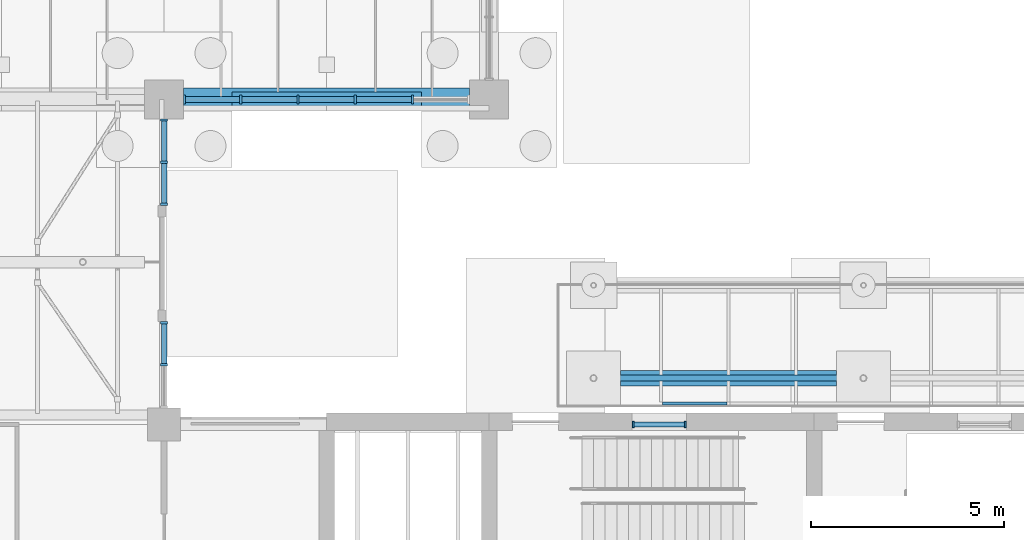
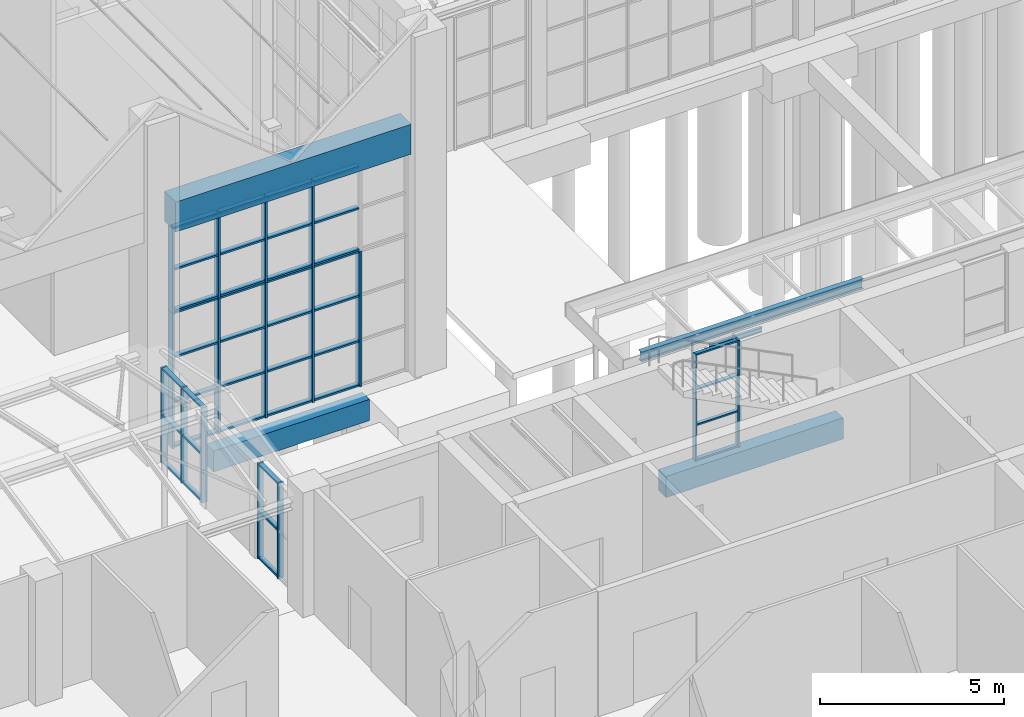
# One storey, part 39 of 138: 57 members, 5 beams, 5 elements without a shape of their own.
"""IFC4 building model written with IfcOpenShell, lengths in metres."""

from ifc_helpers import new_model, si_unit, direction, frame, origin, origin_2d, place, context, subcontext, project, spatial, rectangle, i_section, extrude, material, material_profile, profile_set, type_object, element, aggregate, save


model = new_model("IFC4")

# Units and contexts
model_context = context("Model", 3, precision=1e-05, world=origin(), true_north=direction((0.0, 1.0)))
body_context = subcontext(model_context, "Body", "Model", "MODEL_VIEW")
ifc_project = project(units=[si_unit("LENGTHUNIT", "METRE"), si_unit("AREAUNIT", "SQUARE_METRE"), si_unit("VOLUMEUNIT", "CUBIC_METRE"), si_unit("PLANEANGLEUNIT", "RADIAN"), si_unit("MASSUNIT", "GRAM", prefix="KILO")], contexts=[model_context])

# Site, building, storey
site_placement = place(None, origin())
site = spatial("IfcSite", under=ifc_project, at=site_placement, CompositionType="ELEMENT")
building_placement = place(site_placement, origin())
building = spatial("IfcBuilding", under=site, at=building_placement, Name="Yavir Park General Hospital", CompositionType="ELEMENT")
storey_placement = place(building_placement, origin())
storey = spatial("IfcBuildingStorey", under=building, at=storey_placement, Name="L00", CompositionType="ELEMENT", Elevation=0.0)

# Curtain wall, members
ifc_material_1 = material(Name="Aluminium curtain wall frame with insulated glazing", Category="aluminium")
curtain_wall_type_1 = type_object("IfcCurtainWallType", Name="Glazed foyer walls, 3164 high, 1400 module", PredefinedType="NOTDEFINED", material=ifc_material_1)
curtain_wall_1_placement = place(storey_placement, origin())
curtain_wall_1 = element("IfcCurtainWall", 1, at=curtain_wall_1_placement, inside=storey, type_object=curtain_wall_type_1, Name="CW36 L00-056", PredefinedType="NOTDEFINED")
ifc_material_2 = material(Name="Aluminium", Category="aluminium")
ifc_material_profile_1 = material_profile(ifc_material_2, rectangle(XDim=0.179931640625, YDim=0.06005859375, at=origin_2d()), Name="AL 60x180")
ifc_profile_set_1 = profile_set([ifc_material_profile_1], Name="Aluminium")
member_type_1 = type_object("IfcMemberType", Name="Glazed foyer walls, 3164 high mullion 60 x 180", PredefinedType="MULLION", material=ifc_profile_set_1)
member_1_placement = place(storey_placement, frame((100.800048828125, 35.143798828125, 0.0), z_axis=(0.0, 0.0, 1.0), x_axis=(-1.0, 0.0, 0.0)))
member_1 = element("IfcMember", 2, at=member_1_placement, type_object=member_type_1, Name="CW36 mullion 2", PredefinedType="MULLION", context=body_context, shape_type="SweptSolid", body=[
    extrude(rectangle(XDim=0.179931640625, YDim=0.06005859375, at=origin_2d()), origin(), (0.0, 0.0, 1.0), 3.1640625),
])
member_2_placement = place(storey_placement, frame((100.800048828125, 36.232421875, 0.0), z_axis=(0.0, 0.0, 1.0), x_axis=(-1.0, 0.0, 0.0)))
member_2 = element("IfcMember", 3, at=member_2_placement, type_object=member_type_1, Name="CW36 mullion 3", PredefinedType="MULLION", context=body_context, shape_type="SweptSolid", body=[
    extrude(rectangle(XDim=0.179931640625, YDim=0.06005859375, at=origin_2d()), origin(), (0.0, 0.0, 1.0), 3.1640625),
])

curtain_wall_2_placement = place(storey_placement, origin())
curtain_wall_2 = element("IfcCurtainWall", 4, at=curtain_wall_2_placement, inside=storey, type_object=curtain_wall_type_1, Name="CW36 L00-057", PredefinedType="NOTDEFINED")
member_3_placement = place(storey_placement, frame((100.800048828125, 39.29248046875, 0.0), z_axis=(0.0, 0.0, 1.0), x_axis=(-1.0, 0.0, 0.0)))
member_3 = element("IfcMember", 5, at=member_3_placement, type_object=member_type_1, Name="CW36 mullion 1", PredefinedType="MULLION", context=body_context, shape_type="SweptSolid", body=[
    extrude(rectangle(XDim=0.179931640625, YDim=0.06005859375, at=origin_2d()), origin(), (0.0, 0.0, 1.0), 3.1640625),
])
member_4_placement = place(storey_placement, frame((100.800048828125, 40.38134765625, 0.0), z_axis=(0.0, 0.0, 1.0), x_axis=(-1.0, 0.0, 0.0)))
member_4 = element("IfcMember", 6, at=member_4_placement, type_object=member_type_1, Name="CW36 mullion 2", PredefinedType="MULLION", context=body_context, shape_type="SweptSolid", body=[
    extrude(rectangle(XDim=0.179931640625, YDim=0.06005859375, at=origin_2d()), origin(), (0.0, 0.0, 1.0), 3.1640625),
])
member_5_placement = place(storey_placement, frame((100.800048828125, 41.469970703125, 0.0), z_axis=(0.0, 0.0, 1.0), x_axis=(-1.0, 0.0, 0.0)))
member_5 = element("IfcMember", 7, at=member_5_placement, type_object=member_type_1, Name="CW36 mullion 3", PredefinedType="MULLION", context=body_context, shape_type="SweptSolid", body=[
    extrude(rectangle(XDim=0.179931640625, YDim=0.06005859375, at=origin_2d()), origin(), (0.0, 0.0, 1.0), 3.1640625),
])

# Member
ifc_material_3 = material(Name="Aluminium", Category="aluminium")
ifc_material_profile_2 = material_profile(ifc_material_3, rectangle(XDim=0.139892578125, YDim=0.06005859375, at=origin_2d()), Name="AL 140x60")
ifc_profile_set_2 = profile_set([ifc_material_profile_2], Name="Aluminium")
member_type_2 = type_object("IfcMemberType", Name="Glazed foyer walls, 3164 high transom 60 x 140", PredefinedType="MULLION", material=ifc_profile_set_2)
member_6_placement = place(storey_placement, frame((100.800048828125, 35.173828125, 0.030029296875), z_axis=(0.0, 1.0, 0.0), x_axis=(-1.0, 0.0, 0.0)))
member_6 = element("IfcMember", 8, at=member_6_placement, type_object=member_type_2, Name="CW36 transom 2.1", PredefinedType="MULLION", context=body_context, shape_type="SweptSolid", body=[
    extrude(rectangle(XDim=0.139892578125, YDim=0.06005859375, at=origin_2d()), origin(), (0.0, 0.0, 1.0), 1.028564453125),
])

member_7_placement = place(storey_placement, frame((100.800048828125, 35.173828125, 1.58203125), z_axis=(0.0, 1.0, 0.0), x_axis=(-1.0, 0.0, 0.0)))
member_7 = element("IfcMember", 9, at=member_7_placement, type_object=member_type_2, Name="CW36 transom 2.2", PredefinedType="MULLION", context=body_context, shape_type="SweptSolid", body=[
    extrude(rectangle(XDim=0.139892578125, YDim=0.06005859375, at=origin_2d()), origin(), (0.0, 0.0, 1.0), 1.028564453125),
])

member_8_placement = place(storey_placement, frame((100.800048828125, 35.173828125, 3.134033203125), z_axis=(0.0, 1.0, 0.0), x_axis=(-1.0, 0.0, 0.0)))
member_8 = element("IfcMember", 10, at=member_8_placement, type_object=member_type_2, Name="CW36 transom 2.3", PredefinedType="MULLION", context=body_context, shape_type="SweptSolid", body=[
    extrude(rectangle(XDim=0.139892578125, YDim=0.06005859375, at=origin_2d()), origin(), (0.0, 0.0, 1.0), 1.028564453125),
])

aggregate(curtain_wall_1, [member_1, member_2, member_6, member_7, member_8])

member_9_placement = place(storey_placement, frame((100.800048828125, 39.322509765625, 0.030029296875), z_axis=(0.0, 1.0, 0.0), x_axis=(-1.0, 0.0, 0.0)))
member_9 = element("IfcMember", 11, at=member_9_placement, type_object=member_type_2, Name="CW36 transom 1.1", PredefinedType="MULLION", context=body_context, shape_type="SweptSolid", body=[
    extrude(rectangle(XDim=0.139892578125, YDim=0.06005859375, at=origin_2d()), origin(), (0.0, 0.0, 1.0), 1.02880859375),
])

member_10_placement = place(storey_placement, frame((100.800048828125, 39.322509765625, 1.58203125), z_axis=(0.0, 1.0, 0.0), x_axis=(-1.0, 0.0, 0.0)))
member_10 = element("IfcMember", 12, at=member_10_placement, type_object=member_type_2, Name="CW36 transom 1.2", PredefinedType="MULLION", context=body_context, shape_type="SweptSolid", body=[
    extrude(rectangle(XDim=0.139892578125, YDim=0.06005859375, at=origin_2d()), origin(), (0.0, 0.0, 1.0), 1.02880859375),
])

member_11_placement = place(storey_placement, frame((100.800048828125, 39.322509765625, 3.134033203125), z_axis=(0.0, 1.0, 0.0), x_axis=(-1.0, 0.0, 0.0)))
member_11 = element("IfcMember", 13, at=member_11_placement, type_object=member_type_2, Name="CW36 transom 1.3", PredefinedType="MULLION", context=body_context, shape_type="SweptSolid", body=[
    extrude(rectangle(XDim=0.139892578125, YDim=0.06005859375, at=origin_2d()), origin(), (0.0, 0.0, 1.0), 1.02880859375),
])

member_12_placement = place(storey_placement, frame((100.800048828125, 40.4111328125, 0.030029296875), z_axis=(0.0, 1.0, 0.0), x_axis=(-1.0, 0.0, 0.0)))
member_12 = element("IfcMember", 14, at=member_12_placement, type_object=member_type_2, Name="CW36 transom 2.1", PredefinedType="MULLION", context=body_context, shape_type="SweptSolid", body=[
    extrude(rectangle(XDim=0.139892578125, YDim=0.06005859375, at=origin_2d()), origin(), (0.0, 0.0, 1.0), 1.02880859375),
])

member_13_placement = place(storey_placement, frame((100.800048828125, 40.4111328125, 1.58203125), z_axis=(0.0, 1.0, 0.0), x_axis=(-1.0, 0.0, 0.0)))
member_13 = element("IfcMember", 15, at=member_13_placement, type_object=member_type_2, Name="CW36 transom 2.2", PredefinedType="MULLION", context=body_context, shape_type="SweptSolid", body=[
    extrude(rectangle(XDim=0.139892578125, YDim=0.06005859375, at=origin_2d()), origin(), (0.0, 0.0, 1.0), 1.02880859375),
])

member_14_placement = place(storey_placement, frame((100.800048828125, 40.4111328125, 3.134033203125), z_axis=(0.0, 1.0, 0.0), x_axis=(-1.0, 0.0, 0.0)))
member_14 = element("IfcMember", 16, at=member_14_placement, type_object=member_type_2, Name="CW36 transom 2.3", PredefinedType="MULLION", context=body_context, shape_type="SweptSolid", body=[
    extrude(rectangle(XDim=0.139892578125, YDim=0.06005859375, at=origin_2d()), origin(), (0.0, 0.0, 1.0), 1.02880859375),
])

aggregate(curtain_wall_2, [member_3, member_4, member_5, member_9, member_10, member_11, member_12, member_13, member_14])

# Beams
ifc_material_4 = material(Name="Steel S355", Category="steel")
ifc_material_profile_3 = material_profile(ifc_material_4, i_section(OverallWidth=0.08203125, OverallDepth=0.159912109375, WebThickness=0.0048828125, FlangeThickness=0.00732421875, FilletRadius=0.009033203125, at=origin_2d()), Name="IPE160")
ifc_profile_set_3 = profile_set([ifc_material_profile_3], Name="Steel S355")
beam_type_1 = type_object("IfcBeamType", Name="IPE 160 edge trimmer, up to 2 m span", PredefinedType="BEAM", material=ifc_profile_set_3)
beam_1_placement = place(storey_placement, frame((113.684814453125, 34.14111328125, 3.77001953125), z_axis=(1.0, 0.0, 0.0), x_axis=(0.0, 1.0, 0.0)))
element("IfcBeam", 17, at=beam_1_placement, inside=storey, type_object=beam_type_1, Name="B:ARC2:T1", PredefinedType="BEAM", context=body_context, shape_type="SweptSolid", body=[
    extrude(i_section(OverallWidth=0.08203125, OverallDepth=0.159912109375, WebThickness=0.0048828125, FlangeThickness=0.00732421875, FilletRadius=0.009033203125, at=origin_2d()), origin(), (0.0, 0.0, 1.0), 1.66162109375),
])
ifc_material_5 = material(Name="Steel S355", Category="steel")
ifc_material_profile_4 = material_profile(ifc_material_5, i_section(OverallWidth=0.159912109375, OverallDepth=0.330078125, WebThickness=0.007568359375, FlangeThickness=0.011474609375, FilletRadius=0.01806640625, at=origin_2d()), Name="IPE330")
ifc_profile_set_4 = profile_set([ifc_material_profile_4], Name="Steel S355")
beam_type_2 = type_object("IfcBeamType", Name="IPE 330 main beam, inner row, up to 7 m span", PredefinedType="BEAM", material=ifc_profile_set_4)
beam_2_placement = place(storey_placement, frame((111.89990234375, 34.800048828125, 3.68505859375), z_axis=(1.0, 0.0, 0.0), x_axis=(0.0, 1.0, 0.0)))
element("IfcBeam", 18, at=beam_2_placement, inside=storey, type_object=beam_type_2, Name="B:ARC2:M00", PredefinedType="BEAM", context=body_context, shape_type="SweptSolid", body=[
    extrude(i_section(OverallWidth=0.159912109375, OverallDepth=0.330078125, WebThickness=0.007568359375, FlangeThickness=0.011474609375, FilletRadius=0.01806640625, at=origin_2d()), origin(), (0.0, 0.0, 1.0), 6.97509765625),
])

# Curtain wall, members
ifc_material_6 = material(Name="Aluminium curtain wall frame with insulated glazing", Category="aluminium")
curtain_wall_type_2 = type_object("IfcCurtainWallType", Name="Main hall glazing, lower band, 4500 high, 1400 module", PredefinedType="NOTDEFINED", material=ifc_material_6)
curtain_wall_3_placement = place(storey_placement, origin())
curtain_wall_3 = element("IfcCurtainWall", 19, at=curtain_wall_3_placement, inside=storey, type_object=curtain_wall_type_2, Name="CW33 L00-011", PredefinedType="NOTDEFINED")
ifc_material_7 = material(Name="Aluminium", Category="aluminium")
ifc_material_profile_5 = material_profile(ifc_material_7, rectangle(XDim=0.239990234375, YDim=0.06005859375, at=origin_2d()), Name="AL 60x240")
ifc_profile_set_5 = profile_set([ifc_material_profile_5], Name="Aluminium")
member_type_3 = type_object("IfcMemberType", Name="Main hall glazing, lower band, 4500 high mullion 60 x 240", PredefinedType="MULLION", material=ifc_profile_set_5)
member_15_placement = place(storey_placement, frame((101.330078125, 42.0, 0.0), z_axis=(0.0, 0.0, 1.0), x_axis=(0.0, 1.0, 0.0)))
member_15 = element("IfcMember", 20, at=member_15_placement, type_object=member_type_3, Name="CW33 mullion 1", PredefinedType="MULLION", context=body_context, shape_type="SweptSolid", body=[
    extrude(rectangle(XDim=0.239990234375, YDim=0.06005859375, at=origin_2d()), origin(), (0.0, 0.0, 1.0), 4.5),
])
member_16_placement = place(storey_placement, frame((102.780029296875, 42.0, 0.0), z_axis=(0.0, 0.0, 1.0), x_axis=(0.0, 1.0, 0.0)))
member_16 = element("IfcMember", 21, at=member_16_placement, type_object=member_type_3, Name="CW33 mullion 2", PredefinedType="MULLION", context=body_context, shape_type="SweptSolid", body=[
    extrude(rectangle(XDim=0.239990234375, YDim=0.06005859375, at=origin_2d()), origin(), (0.0, 0.0, 1.0), 4.5),
])
member_17_placement = place(storey_placement, frame((104.260009765625, 42.0, 0.0), z_axis=(0.0, 0.0, 1.0), x_axis=(0.0, 1.0, 0.0)))
member_17 = element("IfcMember", 22, at=member_17_placement, type_object=member_type_3, Name="CW33 mullion 3", PredefinedType="MULLION", context=body_context, shape_type="SweptSolid", body=[
    extrude(rectangle(XDim=0.239990234375, YDim=0.06005859375, at=origin_2d()), origin(), (0.0, 0.0, 1.0), 4.5),
])
member_18_placement = place(storey_placement, frame((105.739990234375, 42.0, 0.0), z_axis=(0.0, 0.0, 1.0), x_axis=(0.0, 1.0, 0.0)))
member_18 = element("IfcMember", 23, at=member_18_placement, type_object=member_type_3, Name="CW33 mullion 4", PredefinedType="MULLION", context=body_context, shape_type="SweptSolid", body=[
    extrude(rectangle(XDim=0.239990234375, YDim=0.06005859375, at=origin_2d()), origin(), (0.0, 0.0, 1.0), 4.5),
])
member_19_placement = place(storey_placement, frame((107.219970703125, 42.0, 0.0), z_axis=(0.0, 0.0, 1.0), x_axis=(0.0, 1.0, 0.0)))
member_19 = element("IfcMember", 24, at=member_19_placement, type_object=member_type_3, Name="CW33 mullion 5", PredefinedType="MULLION", context=body_context, shape_type="SweptSolid", body=[
    extrude(rectangle(XDim=0.239990234375, YDim=0.06005859375, at=origin_2d()), origin(), (0.0, 0.0, 1.0), 4.5),
])
ifc_material_8 = material(Name="Aluminium", Category="aluminium")
ifc_material_profile_6 = material_profile(ifc_material_8, rectangle(XDim=0.159912109375, YDim=0.06005859375, at=origin_2d()), Name="AL 160x60")
ifc_profile_set_6 = profile_set([ifc_material_profile_6], Name="Aluminium")
member_type_4 = type_object("IfcMemberType", Name="Main hall glazing, lower band, 4500 high transom 60 x 160", PredefinedType="MULLION", material=ifc_profile_set_6)
member_20_placement = place(storey_placement, frame((101.360107421875, 42.0, 0.030029296875), z_axis=(1.0, 0.0, 0.0), x_axis=(0.0, 1.0, 0.0)))
member_20 = element("IfcMember", 25, at=member_20_placement, type_object=member_type_4, Name="CW33 transom 1.1", PredefinedType="MULLION", context=body_context, shape_type="SweptSolid", body=[
    extrude(rectangle(XDim=0.159912109375, YDim=0.06005859375, at=origin_2d()), origin(), (0.0, 0.0, 1.0), 1.389892578125),
])
member_21_placement = place(storey_placement, frame((101.360107421875, 42.0, 1.5), z_axis=(1.0, 0.0, 0.0), x_axis=(0.0, 1.0, 0.0)))
member_21 = element("IfcMember", 26, at=member_21_placement, type_object=member_type_4, Name="CW33 transom 1.2", PredefinedType="MULLION", context=body_context, shape_type="SweptSolid", body=[
    extrude(rectangle(XDim=0.159912109375, YDim=0.06005859375, at=origin_2d()), origin(), (0.0, 0.0, 1.0), 1.389892578125),
])
member_22_placement = place(storey_placement, frame((101.360107421875, 42.0, 3.0), z_axis=(1.0, 0.0, 0.0), x_axis=(0.0, 1.0, 0.0)))
member_22 = element("IfcMember", 27, at=member_22_placement, type_object=member_type_4, Name="CW33 transom 1.3", PredefinedType="MULLION", context=body_context, shape_type="SweptSolid", body=[
    extrude(rectangle(XDim=0.159912109375, YDim=0.06005859375, at=origin_2d()), origin(), (0.0, 0.0, 1.0), 1.389892578125),
])
member_23_placement = place(storey_placement, frame((101.360107421875, 42.0, 4.469970703125), z_axis=(1.0, 0.0, 0.0), x_axis=(0.0, 1.0, 0.0)))
member_23 = element("IfcMember", 28, at=member_23_placement, type_object=member_type_4, Name="CW33 transom 1.4", PredefinedType="MULLION", context=body_context, shape_type="SweptSolid", body=[
    extrude(rectangle(XDim=0.159912109375, YDim=0.06005859375, at=origin_2d()), origin(), (0.0, 0.0, 1.0), 1.389892578125),
])
member_24_placement = place(storey_placement, frame((102.81005859375, 42.0, 0.030029296875), z_axis=(1.0, 0.0, 0.0), x_axis=(0.0, 1.0, 0.0)))
member_24 = element("IfcMember", 29, at=member_24_placement, type_object=member_type_4, Name="CW33 transom 2.1", PredefinedType="MULLION", context=body_context, shape_type="SweptSolid", body=[
    extrude(rectangle(XDim=0.159912109375, YDim=0.06005859375, at=origin_2d()), origin(), (0.0, 0.0, 1.0), 1.419921875),
])
member_25_placement = place(storey_placement, frame((102.81005859375, 42.0, 1.5), z_axis=(1.0, 0.0, 0.0), x_axis=(0.0, 1.0, 0.0)))
member_25 = element("IfcMember", 30, at=member_25_placement, type_object=member_type_4, Name="CW33 transom 2.2", PredefinedType="MULLION", context=body_context, shape_type="SweptSolid", body=[
    extrude(rectangle(XDim=0.159912109375, YDim=0.06005859375, at=origin_2d()), origin(), (0.0, 0.0, 1.0), 1.419921875),
])
member_26_placement = place(storey_placement, frame((102.81005859375, 42.0, 3.0), z_axis=(1.0, 0.0, 0.0), x_axis=(0.0, 1.0, 0.0)))
member_26 = element("IfcMember", 31, at=member_26_placement, type_object=member_type_4, Name="CW33 transom 2.3", PredefinedType="MULLION", context=body_context, shape_type="SweptSolid", body=[
    extrude(rectangle(XDim=0.159912109375, YDim=0.06005859375, at=origin_2d()), origin(), (0.0, 0.0, 1.0), 1.419921875),
])
member_27_placement = place(storey_placement, frame((102.81005859375, 42.0, 4.469970703125), z_axis=(1.0, 0.0, 0.0), x_axis=(0.0, 1.0, 0.0)))
member_27 = element("IfcMember", 32, at=member_27_placement, type_object=member_type_4, Name="CW33 transom 2.4", PredefinedType="MULLION", context=body_context, shape_type="SweptSolid", body=[
    extrude(rectangle(XDim=0.159912109375, YDim=0.06005859375, at=origin_2d()), origin(), (0.0, 0.0, 1.0), 1.419921875),
])
member_28_placement = place(storey_placement, frame((104.2900390625, 42.0, 0.030029296875), z_axis=(1.0, 0.0, 0.0), x_axis=(0.0, 1.0, 0.0)))
member_28 = element("IfcMember", 33, at=member_28_placement, type_object=member_type_4, Name="CW33 transom 3.1", PredefinedType="MULLION", context=body_context, shape_type="SweptSolid", body=[
    extrude(rectangle(XDim=0.159912109375, YDim=0.06005859375, at=origin_2d()), origin(), (0.0, 0.0, 1.0), 1.419921875),
])
member_29_placement = place(storey_placement, frame((104.2900390625, 42.0, 1.5), z_axis=(1.0, 0.0, 0.0), x_axis=(0.0, 1.0, 0.0)))
member_29 = element("IfcMember", 34, at=member_29_placement, type_object=member_type_4, Name="CW33 transom 3.2", PredefinedType="MULLION", context=body_context, shape_type="SweptSolid", body=[
    extrude(rectangle(XDim=0.159912109375, YDim=0.06005859375, at=origin_2d()), origin(), (0.0, 0.0, 1.0), 1.419921875),
])
member_30_placement = place(storey_placement, frame((104.2900390625, 42.0, 3.0), z_axis=(1.0, 0.0, 0.0), x_axis=(0.0, 1.0, 0.0)))
member_30 = element("IfcMember", 35, at=member_30_placement, type_object=member_type_4, Name="CW33 transom 3.3", PredefinedType="MULLION", context=body_context, shape_type="SweptSolid", body=[
    extrude(rectangle(XDim=0.159912109375, YDim=0.06005859375, at=origin_2d()), origin(), (0.0, 0.0, 1.0), 1.419921875),
])
member_31_placement = place(storey_placement, frame((104.2900390625, 42.0, 4.469970703125), z_axis=(1.0, 0.0, 0.0), x_axis=(0.0, 1.0, 0.0)))
member_31 = element("IfcMember", 36, at=member_31_placement, type_object=member_type_4, Name="CW33 transom 3.4", PredefinedType="MULLION", context=body_context, shape_type="SweptSolid", body=[
    extrude(rectangle(XDim=0.159912109375, YDim=0.06005859375, at=origin_2d()), origin(), (0.0, 0.0, 1.0), 1.419921875),
])
member_32_placement = place(storey_placement, frame((105.77001953125, 42.0, 0.030029296875), z_axis=(1.0, 0.0, 0.0), x_axis=(0.0, 1.0, 0.0)))
member_32 = element("IfcMember", 37, at=member_32_placement, type_object=member_type_4, Name="CW33 transom 4.1", PredefinedType="MULLION", context=body_context, shape_type="SweptSolid", body=[
    extrude(rectangle(XDim=0.159912109375, YDim=0.06005859375, at=origin_2d()), origin(), (0.0, 0.0, 1.0), 1.419921875),
])
member_33_placement = place(storey_placement, frame((105.77001953125, 42.0, 1.5), z_axis=(1.0, 0.0, 0.0), x_axis=(0.0, 1.0, 0.0)))
member_33 = element("IfcMember", 38, at=member_33_placement, type_object=member_type_4, Name="CW33 transom 4.2", PredefinedType="MULLION", context=body_context, shape_type="SweptSolid", body=[
    extrude(rectangle(XDim=0.159912109375, YDim=0.06005859375, at=origin_2d()), origin(), (0.0, 0.0, 1.0), 1.419921875),
])
member_34_placement = place(storey_placement, frame((105.77001953125, 42.0, 3.0), z_axis=(1.0, 0.0, 0.0), x_axis=(0.0, 1.0, 0.0)))
member_34 = element("IfcMember", 39, at=member_34_placement, type_object=member_type_4, Name="CW33 transom 4.3", PredefinedType="MULLION", context=body_context, shape_type="SweptSolid", body=[
    extrude(rectangle(XDim=0.159912109375, YDim=0.06005859375, at=origin_2d()), origin(), (0.0, 0.0, 1.0), 1.419921875),
])
member_35_placement = place(storey_placement, frame((105.77001953125, 42.0, 4.469970703125), z_axis=(1.0, 0.0, 0.0), x_axis=(0.0, 1.0, 0.0)))
member_35 = element("IfcMember", 40, at=member_35_placement, type_object=member_type_4, Name="CW33 transom 4.4", PredefinedType="MULLION", context=body_context, shape_type="SweptSolid", body=[
    extrude(rectangle(XDim=0.159912109375, YDim=0.06005859375, at=origin_2d()), origin(), (0.0, 0.0, 1.0), 1.419921875),
])
aggregate(curtain_wall_3, [member_15, member_16, member_17, member_18, member_19, member_20, member_21, member_22, member_23, member_24, member_25, member_26, member_27, member_28, member_29, member_30, member_31, member_32, member_33, member_34, member_35])

ifc_material_9 = material(Name="Aluminium curtain wall frame with insulated glazing", Category="aluminium")
curtain_wall_type_3 = type_object("IfcCurtainWallType", Name="Main hall glazing, upper band, 2817 high, 1400 module", PredefinedType="NOTDEFINED", material=ifc_material_9)
curtain_wall_4_placement = place(storey_placement, origin())
curtain_wall_4 = element("IfcCurtainWall", 41, at=curtain_wall_4_placement, inside=storey, type_object=curtain_wall_type_3, Name="CW34 L00-012", PredefinedType="NOTDEFINED")
ifc_material_10 = material(Name="Aluminium", Category="aluminium")
ifc_material_profile_7 = material_profile(ifc_material_10, rectangle(XDim=0.239990234375, YDim=0.06005859375, at=origin_2d()), Name="AL 60x240")
ifc_profile_set_7 = profile_set([ifc_material_profile_7], Name="Aluminium")
member_type_5 = type_object("IfcMemberType", Name="Main hall glazing, upper band, 2817 high mullion 60 x 240", PredefinedType="MULLION", material=ifc_profile_set_7)
member_36_placement = place(storey_placement, frame((101.330078125, 42.0, 4.5), z_axis=(0.0, 0.0, 1.0), x_axis=(0.0, 1.0, 0.0)))
member_36 = element("IfcMember", 42, at=member_36_placement, type_object=member_type_5, Name="CW34 mullion 1", PredefinedType="MULLION", context=body_context, shape_type="SweptSolid", body=[
    extrude(rectangle(XDim=0.239990234375, YDim=0.06005859375, at=origin_2d()), origin(), (0.0, 0.0, 1.0), 2.81689453125),
])
member_37_placement = place(storey_placement, frame((102.780029296875, 42.0, 4.5), z_axis=(0.0, 0.0, 1.0), x_axis=(0.0, 1.0, 0.0)))
member_37 = element("IfcMember", 43, at=member_37_placement, type_object=member_type_5, Name="CW34 mullion 2", PredefinedType="MULLION", context=body_context, shape_type="SweptSolid", body=[
    extrude(rectangle(XDim=0.239990234375, YDim=0.06005859375, at=origin_2d()), origin(), (0.0, 0.0, 1.0), 2.81689453125),
])
member_38_placement = place(storey_placement, frame((104.260009765625, 42.0, 4.5), z_axis=(0.0, 0.0, 1.0), x_axis=(0.0, 1.0, 0.0)))
member_38 = element("IfcMember", 44, at=member_38_placement, type_object=member_type_5, Name="CW34 mullion 3", PredefinedType="MULLION", context=body_context, shape_type="SweptSolid", body=[
    extrude(rectangle(XDim=0.239990234375, YDim=0.06005859375, at=origin_2d()), origin(), (0.0, 0.0, 1.0), 2.81689453125),
])
member_39_placement = place(storey_placement, frame((105.739990234375, 42.0, 4.5), z_axis=(0.0, 0.0, 1.0), x_axis=(0.0, 1.0, 0.0)))
member_39 = element("IfcMember", 45, at=member_39_placement, type_object=member_type_5, Name="CW34 mullion 4", PredefinedType="MULLION", context=body_context, shape_type="SweptSolid", body=[
    extrude(rectangle(XDim=0.239990234375, YDim=0.06005859375, at=origin_2d()), origin(), (0.0, 0.0, 1.0), 2.81689453125),
])
ifc_material_11 = material(Name="Aluminium", Category="aluminium")
ifc_material_profile_8 = material_profile(ifc_material_11, rectangle(XDim=0.159912109375, YDim=0.06005859375, at=origin_2d()), Name="AL 160x60")
ifc_profile_set_8 = profile_set([ifc_material_profile_8], Name="Aluminium")
member_type_6 = type_object("IfcMemberType", Name="Main hall glazing, upper band, 2817 high transom 60 x 160", PredefinedType="MULLION", material=ifc_profile_set_8)
member_40_placement = place(storey_placement, frame((101.360107421875, 42.0, 4.530029296875), z_axis=(1.0, 0.0, 0.0), x_axis=(0.0, 1.0, 0.0)))
member_40 = element("IfcMember", 46, at=member_40_placement, type_object=member_type_6, Name="CW34 transom 1.1", PredefinedType="MULLION", context=body_context, shape_type="SweptSolid", body=[
    extrude(rectangle(XDim=0.159912109375, YDim=0.06005859375, at=origin_2d()), origin(), (0.0, 0.0, 1.0), 1.389892578125),
])
member_41_placement = place(storey_placement, frame((101.360107421875, 42.0, 5.908447265625), z_axis=(1.0, 0.0, 0.0), x_axis=(0.0, 1.0, 0.0)))
member_41 = element("IfcMember", 47, at=member_41_placement, type_object=member_type_6, Name="CW34 transom 1.2", PredefinedType="MULLION", context=body_context, shape_type="SweptSolid", body=[
    extrude(rectangle(XDim=0.159912109375, YDim=0.06005859375, at=origin_2d()), origin(), (0.0, 0.0, 1.0), 1.389892578125),
])
member_42_placement = place(storey_placement, frame((101.360107421875, 42.0, 7.287109375), z_axis=(1.0, 0.0, 0.0), x_axis=(0.0, 1.0, 0.0)))
member_42 = element("IfcMember", 48, at=member_42_placement, type_object=member_type_6, Name="CW34 transom 1.3", PredefinedType="MULLION", context=body_context, shape_type="SweptSolid", body=[
    extrude(rectangle(XDim=0.159912109375, YDim=0.06005859375, at=origin_2d()), origin(), (0.0, 0.0, 1.0), 1.389892578125),
])
member_43_placement = place(storey_placement, frame((102.81005859375, 42.0, 4.530029296875), z_axis=(1.0, 0.0, 0.0), x_axis=(0.0, 1.0, 0.0)))
member_43 = element("IfcMember", 49, at=member_43_placement, type_object=member_type_6, Name="CW34 transom 2.1", PredefinedType="MULLION", context=body_context, shape_type="SweptSolid", body=[
    extrude(rectangle(XDim=0.159912109375, YDim=0.06005859375, at=origin_2d()), origin(), (0.0, 0.0, 1.0), 1.419921875),
])
member_44_placement = place(storey_placement, frame((102.81005859375, 42.0, 5.908447265625), z_axis=(1.0, 0.0, 0.0), x_axis=(0.0, 1.0, 0.0)))
member_44 = element("IfcMember", 50, at=member_44_placement, type_object=member_type_6, Name="CW34 transom 2.2", PredefinedType="MULLION", context=body_context, shape_type="SweptSolid", body=[
    extrude(rectangle(XDim=0.159912109375, YDim=0.06005859375, at=origin_2d()), origin(), (0.0, 0.0, 1.0), 1.419921875),
])
member_45_placement = place(storey_placement, frame((102.81005859375, 42.0, 7.287109375), z_axis=(1.0, 0.0, 0.0), x_axis=(0.0, 1.0, 0.0)))
member_45 = element("IfcMember", 51, at=member_45_placement, type_object=member_type_6, Name="CW34 transom 2.3", PredefinedType="MULLION", context=body_context, shape_type="SweptSolid", body=[
    extrude(rectangle(XDim=0.159912109375, YDim=0.06005859375, at=origin_2d()), origin(), (0.0, 0.0, 1.0), 1.419921875),
])
member_46_placement = place(storey_placement, frame((104.2900390625, 42.0, 4.530029296875), z_axis=(1.0, 0.0, 0.0), x_axis=(0.0, 1.0, 0.0)))
member_46 = element("IfcMember", 52, at=member_46_placement, type_object=member_type_6, Name="CW34 transom 3.1", PredefinedType="MULLION", context=body_context, shape_type="SweptSolid", body=[
    extrude(rectangle(XDim=0.159912109375, YDim=0.06005859375, at=origin_2d()), origin(), (0.0, 0.0, 1.0), 1.419921875),
])
member_47_placement = place(storey_placement, frame((104.2900390625, 42.0, 5.908447265625), z_axis=(1.0, 0.0, 0.0), x_axis=(0.0, 1.0, 0.0)))
member_47 = element("IfcMember", 53, at=member_47_placement, type_object=member_type_6, Name="CW34 transom 3.2", PredefinedType="MULLION", context=body_context, shape_type="SweptSolid", body=[
    extrude(rectangle(XDim=0.159912109375, YDim=0.06005859375, at=origin_2d()), origin(), (0.0, 0.0, 1.0), 1.419921875),
])
member_48_placement = place(storey_placement, frame((104.2900390625, 42.0, 7.287109375), z_axis=(1.0, 0.0, 0.0), x_axis=(0.0, 1.0, 0.0)))
member_48 = element("IfcMember", 54, at=member_48_placement, type_object=member_type_6, Name="CW34 transom 3.3", PredefinedType="MULLION", context=body_context, shape_type="SweptSolid", body=[
    extrude(rectangle(XDim=0.159912109375, YDim=0.06005859375, at=origin_2d()), origin(), (0.0, 0.0, 1.0), 1.419921875),
])
member_49_placement = place(storey_placement, frame((105.77001953125, 42.0, 4.530029296875), z_axis=(1.0, 0.0, 0.0), x_axis=(0.0, 1.0, 0.0)))
member_49 = element("IfcMember", 55, at=member_49_placement, type_object=member_type_6, Name="CW34 transom 4.1", PredefinedType="MULLION", context=body_context, shape_type="SweptSolid", body=[
    extrude(rectangle(XDim=0.159912109375, YDim=0.06005859375, at=origin_2d()), origin(), (0.0, 0.0, 1.0), 1.419921875),
])
member_50_placement = place(storey_placement, frame((105.77001953125, 42.0, 5.908447265625), z_axis=(1.0, 0.0, 0.0), x_axis=(0.0, 1.0, 0.0)))
member_50 = element("IfcMember", 56, at=member_50_placement, type_object=member_type_6, Name="CW34 transom 4.2", PredefinedType="MULLION", context=body_context, shape_type="SweptSolid", body=[
    extrude(rectangle(XDim=0.159912109375, YDim=0.06005859375, at=origin_2d()), origin(), (0.0, 0.0, 1.0), 1.419921875),
])
member_51_placement = place(storey_placement, frame((105.77001953125, 42.0, 7.287109375), z_axis=(1.0, 0.0, 0.0), x_axis=(0.0, 1.0, 0.0)))
member_51 = element("IfcMember", 57, at=member_51_placement, type_object=member_type_6, Name="CW34 transom 4.3", PredefinedType="MULLION", context=body_context, shape_type="SweptSolid", body=[
    extrude(rectangle(XDim=0.159912109375, YDim=0.06005859375, at=origin_2d()), origin(), (0.0, 0.0, 1.0), 1.419921875),
])
aggregate(curtain_wall_4, [member_36, member_37, member_38, member_39, member_40, member_41, member_42, member_43, member_44, member_45, member_46, member_47, member_48, member_49, member_50, member_51])

# Beams
ifc_material_12 = material(Name="Concrete C35/45", Category="concrete")
ifc_material_profile_9 = material_profile(ifc_material_12, rectangle(XDim=0.39990234375, YDim=0.699951171875, at=origin_2d()), Name="RC400x700")
ifc_profile_set_9 = profile_set([ifc_material_profile_9], Name="Concrete C35/45")
beam_type_3 = type_object("IfcBeamType", Name="RC BEAM 400x700 ground beam", PredefinedType="BEAM", material=ifc_profile_set_9)
beam_3_placement = place(storey_placement, frame((112.60009765625, 34.800048828125, -0.800048828125), z_axis=(1.0, 0.0, 0.0), x_axis=(0.0, 1.0, 0.0)))
element("IfcBeam", 58, at=beam_3_placement, inside=storey, type_object=beam_type_3, Name="B:GND:ARC2:C00:ARC2:C01", PredefinedType="BEAM", context=body_context, shape_type="SweptSolid", body=[
    extrude(rectangle(XDim=0.39990234375, YDim=0.699951171875, at=origin_2d()), origin(), (0.0, 0.0, 1.0), 5.574951171875),
])
beam_4_placement = place(storey_placement, frame((102.550048828125, 42.0, -0.800048828125), z_axis=(1.0, 0.0, 0.0), x_axis=(0.0, 1.0, 0.0)))
element("IfcBeam", 59, at=beam_4_placement, inside=storey, type_object=beam_type_3, Name="B:GND:L00:13F:L00:14F", PredefinedType="BEAM", context=body_context, shape_type="SweptSolid", body=[
    extrude(rectangle(XDim=0.39990234375, YDim=0.699951171875, at=origin_2d()), origin(), (0.0, 0.0, 1.0), 4.89990234375),
])
ifc_material_13 = material(Name="Concrete C35/45", Category="concrete")
ifc_material_profile_10 = material_profile(ifc_material_13, rectangle(XDim=0.60009765625, YDim=1.0, at=origin_2d()), Name="RC600x1000")
ifc_profile_set_10 = profile_set([ifc_material_profile_10], Name="Concrete C35/45")
beam_type_4 = type_object("IfcBeamType", Name="RC BEAM 600x1000 hall end girder", PredefinedType="BEAM", material=ifc_profile_set_10)
beam_5_placement = place(storey_placement, frame((101.300048828125, 42.0, 7.81689453125), z_axis=(1.0, 0.0, 0.0), x_axis=(0.0, 1.0, 0.0)))
element("IfcBeam", 60, at=beam_5_placement, inside=storey, type_object=beam_type_4, Name="B:HALL:END:S3", PredefinedType="BEAM", context=body_context, shape_type="SweptSolid", body=[
    extrude(rectangle(XDim=0.60009765625, YDim=1.0, at=origin_2d()), origin(), (0.0, 0.0, 1.0), 7.39990234375),
])

# Curtain wall, members
ifc_material_14 = material(Name="Aluminium curtain wall frame with insulated glazing", Category="aluminium")
curtain_wall_type_4 = type_object("IfcCurtainWallType", Name="Stair light slot, ground floor, 3540 high, 1400 module", PredefinedType="NOTDEFINED", material=ifc_material_14)
curtain_wall_5_placement = place(storey_placement, origin())
curtain_wall_5 = element("IfcCurtainWall", 61, at=curtain_wall_5_placement, inside=storey, type_object=curtain_wall_type_4, Name="CW19 L00-009", PredefinedType="NOTDEFINED")
ifc_material_15 = material(Name="Aluminium", Category="aluminium")
ifc_material_profile_11 = material_profile(ifc_material_15, rectangle(XDim=0.159912109375, YDim=0.050048828125, at=origin_2d()), Name="AL 50x160")
ifc_profile_set_11 = profile_set([ifc_material_profile_11], Name="Aluminium")
member_type_7 = type_object("IfcMemberType", Name="Stair light slot, ground floor, 3540 high mullion 50 x 160", PredefinedType="MULLION", material=ifc_profile_set_11)
member_52_placement = place(storey_placement, frame((112.925048828125, 33.60009765625, 0.60009765625), z_axis=(0.0, 0.0, 1.0), x_axis=(0.0, 1.0, 0.0)))
member_52 = element("IfcMember", 62, at=member_52_placement, type_object=member_type_7, Name="CW19 mullion 1", PredefinedType="MULLION", context=body_context, shape_type="SweptSolid", body=[
    extrude(rectangle(XDim=0.159912109375, YDim=0.050048828125, at=origin_2d()), origin(), (0.0, 0.0, 1.0), 3.539794921875),
])
member_53_placement = place(storey_placement, frame((114.27490234375, 33.60009765625, 0.60009765625), z_axis=(0.0, 0.0, 1.0), x_axis=(0.0, 1.0, 0.0)))
member_53 = element("IfcMember", 63, at=member_53_placement, type_object=member_type_7, Name="CW19 mullion 2", PredefinedType="MULLION", context=body_context, shape_type="SweptSolid", body=[
    extrude(rectangle(XDim=0.159912109375, YDim=0.050048828125, at=origin_2d()), origin(), (0.0, 0.0, 1.0), 3.539794921875),
])
ifc_material_16 = material(Name="Aluminium", Category="aluminium")
ifc_material_profile_12 = material_profile(ifc_material_16, rectangle(XDim=0.1201171875, YDim=0.050048828125, at=origin_2d()), Name="AL 120x50")
ifc_profile_set_12 = profile_set([ifc_material_profile_12], Name="Aluminium")
member_type_8 = type_object("IfcMemberType", Name="Stair light slot, ground floor, 3540 high transom 50 x 120", PredefinedType="MULLION", material=ifc_profile_set_12)
member_54_placement = place(storey_placement, frame((112.949951171875, 33.60009765625, 0.625), z_axis=(1.0, 0.0, 0.0), x_axis=(0.0, 1.0, 0.0)))
member_54 = element("IfcMember", 64, at=member_54_placement, type_object=member_type_8, Name="CW19 transom 1.1", PredefinedType="MULLION", context=body_context, shape_type="SweptSolid", body=[
    extrude(rectangle(XDim=0.1201171875, YDim=0.050048828125, at=origin_2d()), origin(), (0.0, 0.0, 1.0), 1.300048828125),
])
member_55_placement = place(storey_placement, frame((112.949951171875, 33.60009765625, 1.780029296875), z_axis=(1.0, 0.0, 0.0), x_axis=(0.0, 1.0, 0.0)))
member_55 = element("IfcMember", 65, at=member_55_placement, type_object=member_type_8, Name="CW19 transom 1.2", PredefinedType="MULLION", context=body_context, shape_type="SweptSolid", body=[
    extrude(rectangle(XDim=0.1201171875, YDim=0.050048828125, at=origin_2d()), origin(), (0.0, 0.0, 1.0), 1.300048828125),
])
member_56_placement = place(storey_placement, frame((112.949951171875, 33.60009765625, 2.9599609375), z_axis=(1.0, 0.0, 0.0), x_axis=(0.0, 1.0, 0.0)))
member_56 = element("IfcMember", 66, at=member_56_placement, type_object=member_type_8, Name="CW19 transom 1.3", PredefinedType="MULLION", context=body_context, shape_type="SweptSolid", body=[
    extrude(rectangle(XDim=0.1201171875, YDim=0.050048828125, at=origin_2d()), origin(), (0.0, 0.0, 1.0), 1.300048828125),
])
member_57_placement = place(storey_placement, frame((112.949951171875, 33.60009765625, 4.114990234375), z_axis=(1.0, 0.0, 0.0), x_axis=(0.0, 1.0, 0.0)))
member_57 = element("IfcMember", 67, at=member_57_placement, type_object=member_type_8, Name="CW19 transom 1.4", PredefinedType="MULLION", context=body_context, shape_type="SweptSolid", body=[
    extrude(rectangle(XDim=0.1201171875, YDim=0.050048828125, at=origin_2d()), origin(), (0.0, 0.0, 1.0), 1.300048828125),
])
aggregate(curtain_wall_5, [member_52, member_53, member_54, member_55, member_56, member_57])

save(model, "model.ifc")
